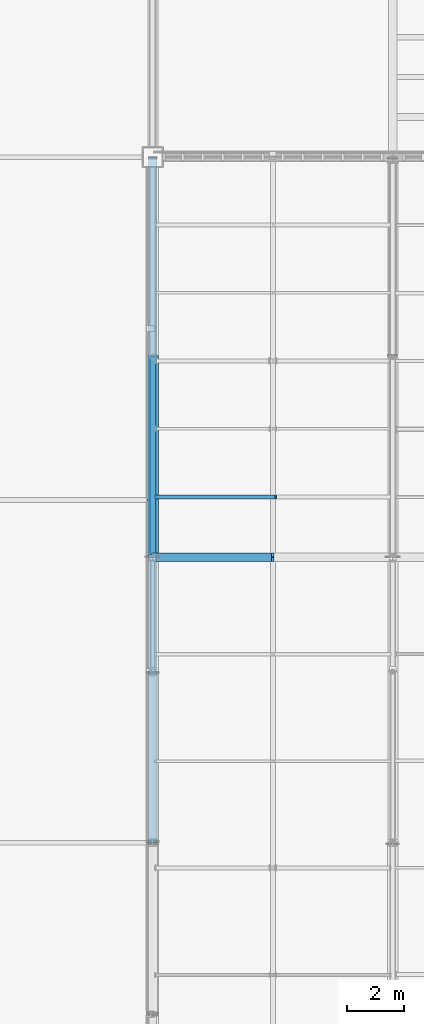
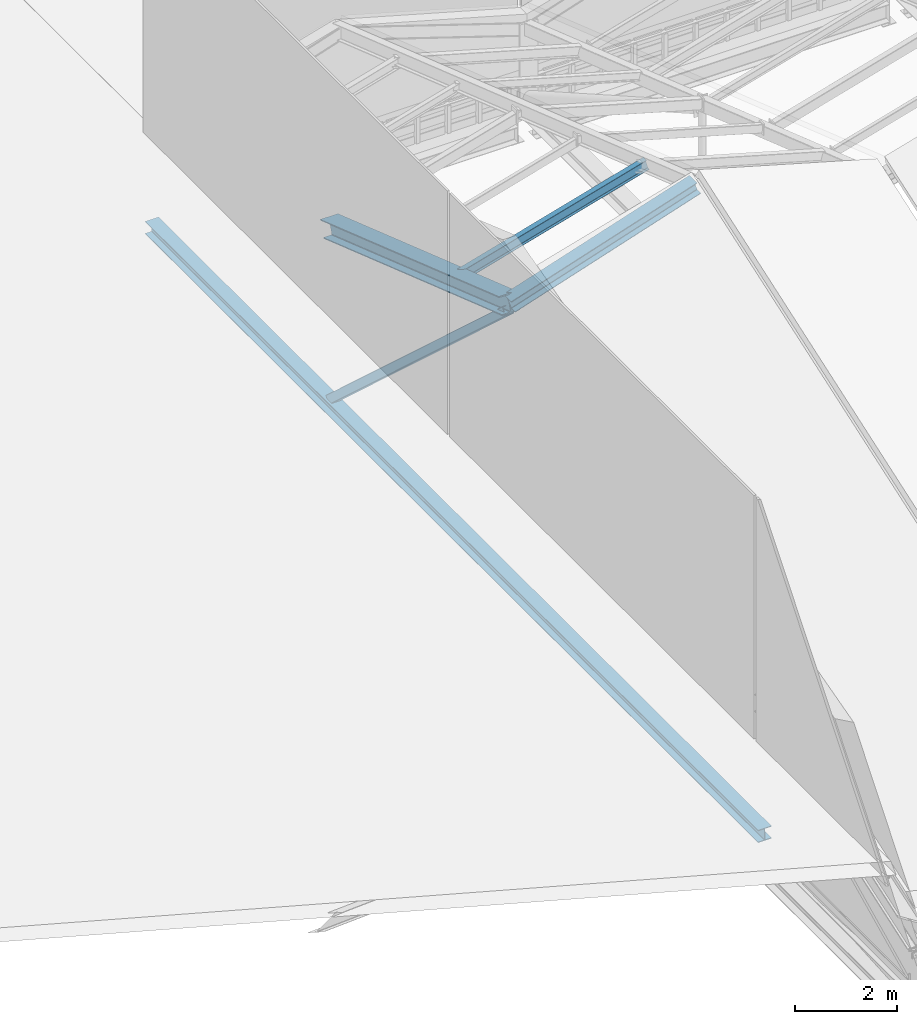
# One storey, part 12 of 77: 5 members.
"""IFC4 building model written with IfcOpenShell, lengths in metres."""

from ifc_helpers import new_model, si_unit, direction, frame, origin, origin_2d, place, context, subcontext, project, spatial, hollow_rectangle, i_section, extrude, material, material_profile, profile_set, type_object, element, save


model = new_model("IFC4")

# Units and contexts
model_context = context("Model", 3, precision=1e-05, world=origin(), true_north=direction((0.0, 1.0)))
body_context = subcontext(model_context, "Body", "Model", "MODEL_VIEW")
ifc_project = project(units=[si_unit("LENGTHUNIT", "METRE"), si_unit("AREAUNIT", "SQUARE_METRE"), si_unit("VOLUMEUNIT", "CUBIC_METRE"), si_unit("PLANEANGLEUNIT", "RADIAN"), si_unit("MASSUNIT", "GRAM", prefix="KILO")], contexts=[model_context])

# Site, building, storey
site_placement = place(None, origin())
site = spatial("IfcSite", under=ifc_project, at=site_placement, CompositionType="ELEMENT")
building_placement = place(site_placement, origin())
building = spatial("IfcBuilding", under=site, at=building_placement, Name="Larkvane Passage Sports Hall", CompositionType="ELEMENT")
storey_placement = place(building_placement, frame((0.0, 0.0, 22.199951171875)))
storey = spatial("IfcBuildingStorey", under=building, at=storey_placement, Name="RF", CompositionType="ELEMENT", Elevation=22.199951171875)

# Members
ifc_material_1 = material(Name="Steel S355JR", Category="steel")
ifc_material_profile_1 = material_profile(ifc_material_1, hollow_rectangle(XDim=0.199951171875, YDim=0.199951171875, WallThickness=0.009033203125, InnerFilletRadius=0.009033203125, OuterFilletRadius=0.01806640625, at=origin_2d()), Name="SHS-200x200x9")
ifc_profile_set_1 = profile_set([ifc_material_profile_1], Name="Steel S355JR")
member_type_1 = type_object("IfcMemberType", Name="MBR-BR-SHS200", PredefinedType="BRACE", material=ifc_profile_set_1)
member_1_placement = place(storey_placement, frame((34.800048828125, 61.64990234375, 6.489990234375), z_axis=(0.0, 0.738490019384, -0.674264407536), x_axis=(-1.0, 0.0, 0.0)))
element("IfcMember", 1, at=member_1_placement, inside=storey, type_object=member_type_1, Name="Arena roof truss 1 web brace 5", PredefinedType="BRACE", context=body_context, shape_type="SweptSolid", body=[
    extrude(hollow_rectangle(XDim=0.199951171875, YDim=0.199951171875, WallThickness=0.009033203125, InnerFilletRadius=0.009033203125, OuterFilletRadius=0.01806640625, at=origin_2d()), origin(), (0.0, 0.0, 1.0), 9.343505859375),
])
ifc_material_2 = material(Name="Steel S460N", Category="steel")
ifc_material_profile_2 = material_profile(ifc_material_2, i_section(OverallWidth=0.300048828125, OverallDepth=0.300048828125, WebThickness=0.010009765625, FlangeThickness=0.014892578125, FilletRadius=0.012939453125, at=origin_2d()), Name="H-300x300x10x15")
ifc_profile_set_2 = profile_set([ifc_material_profile_2], Name="Steel S460N")
member_type_2 = type_object("IfcMemberType", Name="MBR-CH-H300", PredefinedType="CHORD", material=ifc_profile_set_2)
member_2_placement = place(storey_placement, frame((34.800048828125, 51.60009765625, 0.050048828125), z_axis=(0.0, 1.0, 0.0), x_axis=(-1.0, 0.0, 0.0)))
element("IfcMember", 2, at=member_2_placement, inside=storey, type_object=member_type_2, Name="Arena roof truss 1 bottom chord", PredefinedType="CHORD", context=body_context, shape_type="SweptSolid", body=[
    extrude(i_section(OverallWidth=0.300048828125, OverallDepth=0.300048828125, WebThickness=0.010009765625, FlangeThickness=0.014892578125, FilletRadius=0.012939453125, at=origin_2d()), origin(), (0.0, 0.0, 1.0), 24.0),
])
member_3_placement = place(storey_placement, frame((34.800048828125, 61.60009765625, 6.679931640625), z_axis=(0.950691943721, 0.0, 0.310136789407), x_axis=(0.0, 1.0, 0.0)))
element("IfcMember", 3, at=member_3_placement, inside=storey, type_object=member_type_2, Name="Arena roof fold tie 1-RIDGE-W", PredefinedType="CHORD", context=body_context, shape_type="SweptSolid", body=[
    extrude(i_section(OverallWidth=0.300048828125, OverallDepth=0.300048828125, WebThickness=0.010009765625, FlangeThickness=0.014892578125, FilletRadius=0.012939453125, at=origin_2d()), origin(), (0.0, 0.0, 1.0), 4.417724609375),
])
ifc_material_profile_3 = material_profile(ifc_material_2, i_section(OverallWidth=0.39990234375, OverallDepth=0.39990234375, WebThickness=0.012939453125, FlangeThickness=0.02099609375, FilletRadius=0.02197265625, at=origin_2d()), Name="H-400x400x13x21")
ifc_profile_set_3 = profile_set([ifc_material_profile_3], Name="Steel S460N")
member_type_3 = type_object("IfcMemberType", Name="MBR-CH-H400", PredefinedType="CHORD", material=ifc_profile_set_3)
member_4_placement = place(storey_placement, frame((34.800048828125, 61.60009765625, 6.679931640625), z_axis=(0.0, 0.945949994576, -0.324312515579), x_axis=(-1.0, 0.0, 0.0)))
element("IfcMember", 4, at=member_4_placement, inside=storey, type_object=member_type_3, Name="Arena roof truss 1 top chord 5", PredefinedType="CHORD", context=body_context, shape_type="SweptSolid", body=[
    extrude(i_section(OverallWidth=0.39990234375, OverallDepth=0.39990234375, WebThickness=0.012939453125, FlangeThickness=0.02099609375, FilletRadius=0.02197265625, at=origin_2d()), origin(), (0.0, 0.0, 1.0), 7.39990234375),
])
ifc_material_profile_4 = material_profile(ifc_material_1, i_section(OverallWidth=0.125, OverallDepth=0.25, WebThickness=0.006103515625, FlangeThickness=0.009033203125, FilletRadius=0.008056640625, at=origin_2d()), Name="H-250x125x6x9")
ifc_profile_set_4 = profile_set([ifc_material_profile_4], Name="Steel S355JR")
member_type_4 = type_object("IfcMemberType", Name="MBR-PR-H250", PredefinedType="PURLIN", material=ifc_profile_set_4)
member_5_placement = place(storey_placement, frame((34.912109375, 63.705322265625, 6.039306640625), z_axis=(0.961515511102, 0.0, 0.274750654067), x_axis=(0.0, 1.0, 0.0)))
element("IfcMember", 5, at=member_5_placement, inside=storey, type_object=member_type_4, Name="Folded roof purlin FRP-B1-NW-1", PredefinedType="PURLIN", context=body_context, shape_type="SweptSolid", body=[
    extrude(i_section(OverallWidth=0.125, OverallDepth=0.25, WebThickness=0.006103515625, FlangeThickness=0.009033203125, FilletRadius=0.008056640625, at=origin_2d()), origin(), (0.0, 0.0, 1.0), 4.368408203125),
])

save(model, "model.ifc")
